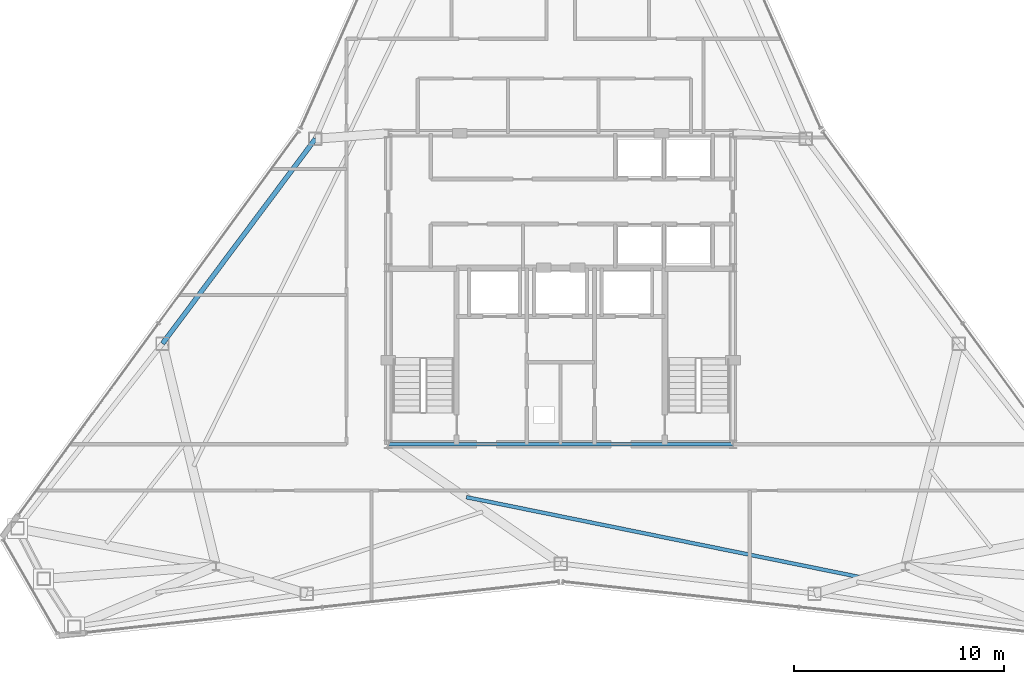
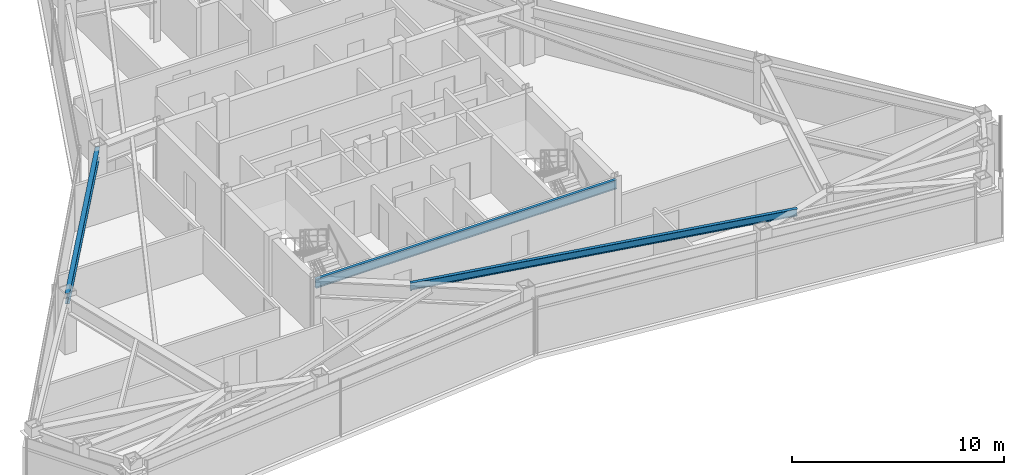
# One storey, part 4 of 12: 3 beams.
"""IFC4 building model written with IfcOpenShell, lengths in metres."""

from ifc_helpers import new_model, si_unit, direction, frame, origin, origin_2d, place, context, subcontext, project, spatial, i_section, extrude, material, material_profile, profile_set, type_object, element, save


model = new_model("IFC4")

# Units and contexts
model_context = context("Model", 3, precision=1e-05, world=origin(), true_north=direction((0.0, 1.0)))
body_context = subcontext(model_context, "Body", "Model", "MODEL_VIEW")
ifc_project = project(units=[si_unit("LENGTHUNIT", "METRE"), si_unit("AREAUNIT", "SQUARE_METRE"), si_unit("VOLUMEUNIT", "CUBIC_METRE"), si_unit("PLANEANGLEUNIT", "RADIAN"), si_unit("MASSUNIT", "GRAM", prefix="KILO")], contexts=[model_context])

# Site, building, storey
site_placement = place(None, origin())
site = spatial("IfcSite", under=ifc_project, at=site_placement, CompositionType="ELEMENT")
building_placement = place(site_placement, origin())
building = spatial("IfcBuilding", under=site, at=building_placement, Name="Varakhsha Concourse Tower", CompositionType="ELEMENT")
storey_placement = place(building_placement, frame((0.0, 0.0, 272.5)))
storey = spatial("IfcBuildingStorey", under=building, at=storey_placement, Name="L77", CompositionType="ELEMENT", Elevation=272.5)

# Beams
ifc_material = material(Name="Structural Steel ASTM A992 Grade 50", Category="steel")
ifc_material_profile_1 = material_profile(ifc_material, i_section(OverallWidth=0.177978515625, OverallDepth=0.406982421875, WebThickness=0.008056640625, FlangeThickness=0.012939453125, at=origin_2d()), Name="W16X40")
ifc_profile_set_1 = profile_set([ifc_material_profile_1], Name="Structural Steel ASTM A992 Grade 50")
beam_type_1 = type_object("IfcBeamType", Name="BM-JST-W16X40", PredefinedType="JOIST", material=ifc_profile_set_1)
beam_1_placement = place(storey_placement, frame((35.515869140625, 13.880615234375, 3.04638671875), z_axis=(0.979996243365, -0.199015986769, 0.0), x_axis=(0.199015986769, 0.979996243365, 0.0)))
element("IfcBeam", 1, at=beam_1_placement, inside=storey, type_object=beam_type_1, Name="BM-TJST-L77-11", PredefinedType="JOIST", context=body_context, shape_type="SweptSolid", body=[
    extrude(i_section(OverallWidth=0.177978515625, OverallDepth=0.406982421875, WebThickness=0.008056640625, FlangeThickness=0.012939453125, at=origin_2d()), origin(), (0.0, 0.0, 1.0), 19.260986328125),
])
ifc_material_profile_2 = material_profile(ifc_material, i_section(OverallWidth=0.1669921875, OverallDepth=0.534912109375, WebThickness=0.010009765625, FlangeThickness=0.01708984375, at=origin_2d()), Name="W21X57")
ifc_profile_set_2 = profile_set([ifc_material_profile_2], Name="Structural Steel ASTM A992 Grade 50")
beam_type_2 = type_object("IfcBeamType", Name="BM-RAD-W21X57", PredefinedType="BEAM", material=ifc_profile_set_2)
beam_2_placement = place(storey_placement, frame((31.800048828125, 16.39990234375, 2.982421875), z_axis=(1.0, 0.0, 0.0), x_axis=(0.0, 1.0, 0.0)))
element("IfcBeam", 2, at=beam_2_placement, inside=storey, type_object=beam_type_2, Name="BM-TCORE-L77-CS", PredefinedType="BEAM", context=body_context, shape_type="SweptSolid", body=[
    extrude(i_section(OverallWidth=0.1669921875, OverallDepth=0.534912109375, WebThickness=0.010009765625, FlangeThickness=0.01708984375, at=origin_2d()), origin(), (0.0, 0.0, 1.0), 16.39990234375),
])
ifc_material_profile_3 = material_profile(ifc_material, i_section(OverallWidth=0.22900390625, OverallDepth=0.612060546875, WebThickness=0.011962890625, FlangeThickness=0.02001953125, at=origin_2d()), Name="W24X84")
ifc_profile_set_3 = profile_set([ifc_material_profile_3], Name="Structural Steel ASTM A992 Grade 50")
beam_type_3 = type_object("IfcBeamType", Name="BM-SPAN-W24X84", PredefinedType="SPANDREL", material=ifc_profile_set_3)
beam_3_placement = place(storey_placement, frame((28.3291015625, 30.938232421875, 2.944091796875), z_axis=(-0.598316034428, -0.801260209262, 0.0), x_axis=(0.801260209262, -0.598316034428, 0.0)))
element("IfcBeam", 3, at=beam_3_placement, inside=storey, type_object=beam_type_3, Name="BM-SPAN-L77-05", PredefinedType="SPANDREL", context=body_context, shape_type="SweptSolid", body=[
    extrude(i_section(OverallWidth=0.22900390625, OverallDepth=0.612060546875, WebThickness=0.011962890625, FlangeThickness=0.02001953125, at=origin_2d()), origin(), (0.0, 0.0, 1.0), 12.164794921875),
])

save(model, "model.ifc")
